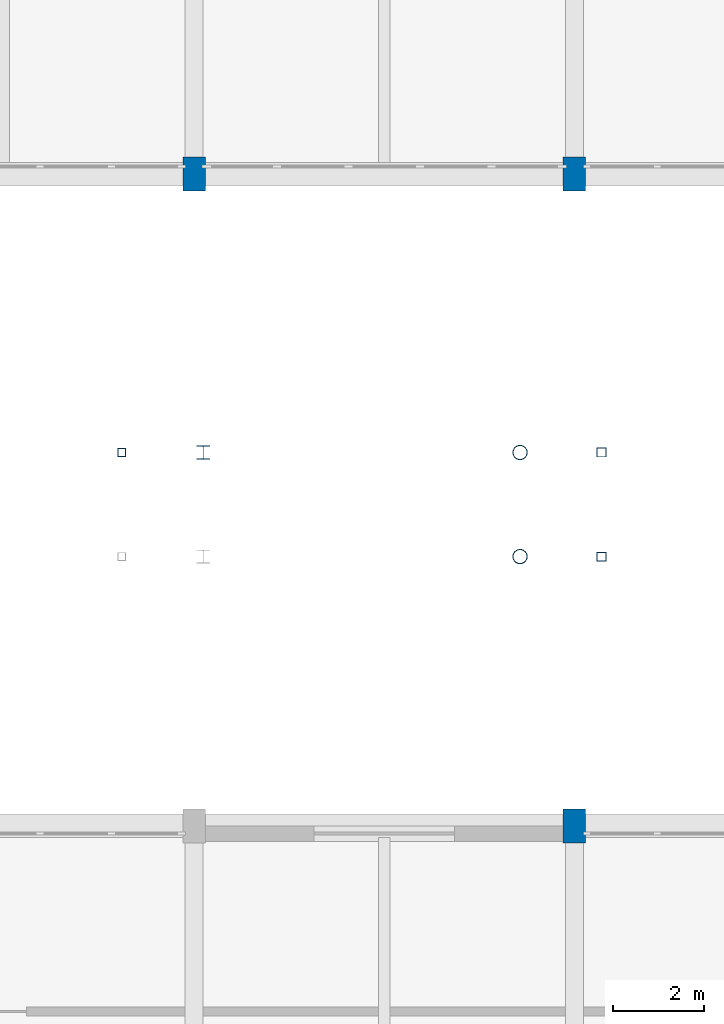
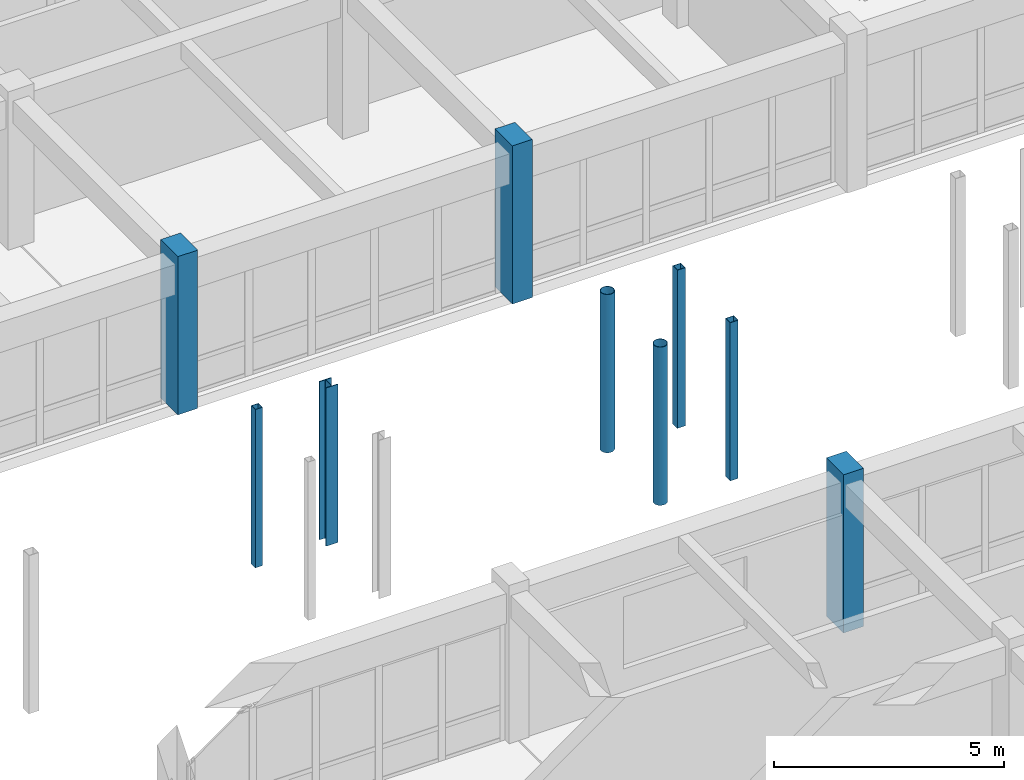
# One storey, part 13 of 147: 9 columns.
"""IFC4 building model written with IfcOpenShell, lengths in metres."""

from ifc_helpers import new_model, si_unit, direction, frame, origin, origin_2d, place, context, subcontext, project, spatial, rectangle, hollow_rectangle, hollow_circle, i_section, extrude, material, material_profile, profile_set, type_object, element, save


model = new_model("IFC4")

# Units and contexts
model_context = context("Model", 3, precision=1e-05, world=origin(), true_north=direction((0.0, 1.0)))
body_context = subcontext(model_context, "Body", "Model", "MODEL_VIEW")
ifc_project = project(units=[si_unit("LENGTHUNIT", "METRE"), si_unit("AREAUNIT", "SQUARE_METRE"), si_unit("VOLUMEUNIT", "CUBIC_METRE"), si_unit("PLANEANGLEUNIT", "RADIAN"), si_unit("MASSUNIT", "GRAM", prefix="KILO")], contexts=[model_context])

# Site, building, storey
site_placement = place(None, origin())
site = spatial("IfcSite", under=ifc_project, at=site_placement, CompositionType="ELEMENT")
building_placement = place(site_placement, origin())
building = spatial("IfcBuilding", under=site, at=building_placement, Name="Malvenik Polytechnic", CompositionType="ELEMENT")
storey_placement = place(building_placement, frame((0.0, 0.0, 5.10009765625)))
storey = spatial("IfcBuildingStorey", under=building, at=storey_placement, Name="L01", CompositionType="ELEMENT", Elevation=5.10009765625)

# Columns
ifc_material_1 = material(Name="Concrete C35/45", Category="concrete")
ifc_material_profile_1 = material_profile(ifc_material_1, rectangle(XDim=0.5, YDim=0.75, at=origin_2d()), Name="RC COL 750x500")
ifc_profile_set_1 = profile_set([ifc_material_profile_1], Name="Concrete C35/45")
column_type_1 = type_object("IfcColumnType", Name="STR-COL-C-14", PredefinedType="COLUMN", material=ifc_profile_set_1)
for number, where, z_axis, x_axis, name in (
    (1, (50.39990234375, 79.199951171875, 0.0), (0.0, 0.0, 1.0), (1.0, 0.0, 0.0), "Column C-14 L01 (50.4,79.2)"),
    (2, (58.800048828125, 64.800048828125, 0.0), (0.0, 0.0, 1.0), (1.0, 0.0, 0.0), "Column C-14 L01 (58.8,64.8)"),
    (3, (58.800048828125, 79.199951171875, 0.0), (0.0, 0.0, 1.0), (1.0, 0.0, 0.0), "Column C-14 L01 (58.8,79.2)"),
):
    element("IfcColumn", number, at=place(storey_placement, frame(where, z_axis=z_axis, x_axis=x_axis)), inside=storey, type_object=column_type_1, Name=name, PredefinedType="COLUMN", context=body_context, shape_type="SweptSolid", body=[
        extrude(rectangle(XDim=0.5, YDim=0.75, at=origin_2d()), origin(), (0.0, 0.0, 1.0), 4.199951171875),
    ])
ifc_material_2 = material(Name="Steel S355J2H", Category="steel")
ifc_material_profile_2 = material_profile(ifc_material_2, hollow_rectangle(XDim=0.199951171875, YDim=0.199951171875, WallThickness=0.010009765625, at=origin_2d()), Name="SHS 200x200x10.0")
ifc_profile_set_2 = profile_set([ifc_material_profile_2], Name="Steel S355J2H")
column_type_2 = type_object("IfcColumnType", Name="STR-SCOL-SC-02", PredefinedType="COLUMN", material=ifc_profile_set_2)
for number, where, z_axis, x_axis, name in (
    (4, (59.39990234375, 70.75, 0.0), (0.0, 0.0, 1.0), (1.0, 0.0, 0.0), "Bridge-Ramp Support Column SC-02 L01"),
    (5, (59.39990234375, 73.050048828125, 0.0), (0.0, 0.0, 1.0), (1.0, 0.0, 0.0), "Bridge-Ramp Support Column SC-02 L01"),
):
    element("IfcColumn", number, at=place(storey_placement, frame(where, z_axis=z_axis, x_axis=x_axis)), inside=storey, type_object=column_type_2, Name=name, PredefinedType="COLUMN", context=body_context, shape_type="SweptSolid", body=[
        extrude(hollow_rectangle(XDim=0.199951171875, YDim=0.199951171875, WallThickness=0.010009765625, at=origin_2d()), origin(), (0.0, 0.0, 1.0), 4.199951171875),
    ])
ifc_material_profile_3 = material_profile(ifc_material_2, hollow_circle(Radius=0.161865234375, WallThickness=0.012451171875, at=origin_2d()), Name="CHS 323.9x12.5")
ifc_profile_set_3 = profile_set([ifc_material_profile_3], Name="Steel S355J2H")
column_type_3 = type_object("IfcColumnType", Name="STR-SCOL-SC-04", PredefinedType="COLUMN", material=ifc_profile_set_3)
for number, where, z_axis, x_axis, name in (
    (6, (57.60009765625, 70.75, 0.0), (0.0, 0.0, 1.0), (1.0, 0.0, 0.0), "Bridge-Ramp Support Column SC-04 L01"),
    (7, (57.60009765625, 73.050048828125, 0.0), (0.0, 0.0, 1.0), (1.0, 0.0, 0.0), "Bridge-Ramp Support Column SC-04 L01"),
):
    element("IfcColumn", number, at=place(storey_placement, frame(where, z_axis=z_axis, x_axis=x_axis)), inside=storey, type_object=column_type_3, Name=name, PredefinedType="COLUMN", context=body_context, shape_type="SweptSolid", body=[
        extrude(hollow_circle(Radius=0.161865234375, WallThickness=0.012451171875, at=origin_2d()), origin(), (0.0, 0.0, 1.0), 4.199951171875),
    ])
ifc_material_3 = material(Name="Steel S355", Category="steel")
ifc_material_profile_4 = material_profile(ifc_material_3, i_section(OverallWidth=0.300048828125, OverallDepth=0.300048828125, WebThickness=0.010986328125, FlangeThickness=0.01904296875, FilletRadius=0.027099609375, at=origin_2d()), Name="HEB 300")
ifc_profile_set_4 = profile_set([ifc_material_profile_4], Name="Steel S355")
column_type_4 = type_object("IfcColumnType", Name="STR-SCOL-SC-05", PredefinedType="COLUMN", material=ifc_profile_set_4)
column_1_placement = place(storey_placement, frame((50.60009765625, 73.050048828125, 0.0), z_axis=(0.0, 0.0, 1.0), x_axis=(1.0, 0.0, 0.0)))
element("IfcColumn", 8, at=column_1_placement, inside=storey, type_object=column_type_4, Name="Bridge-Ramp Support Column SC-05 L01", PredefinedType="COLUMN", context=body_context, shape_type="SweptSolid", body=[
    extrude(i_section(OverallWidth=0.300048828125, OverallDepth=0.300048828125, WebThickness=0.010986328125, FlangeThickness=0.01904296875, FilletRadius=0.027099609375, at=origin_2d()), origin(), (0.0, 0.0, 1.0), 4.199951171875),
])
ifc_material_profile_5 = material_profile(ifc_material_2, hollow_rectangle(XDim=0.179931640625, YDim=0.179931640625, WallThickness=0.008056640625, at=origin_2d()), Name="SHS 180x180x8.0")
ifc_profile_set_5 = profile_set([ifc_material_profile_5], Name="Steel S355J2H")
column_type_5 = type_object("IfcColumnType", Name="STR-SCOL-SC-06", PredefinedType="COLUMN", material=ifc_profile_set_5)
column_2_placement = place(storey_placement, frame((48.800048828125, 73.050048828125, 0.0), z_axis=(0.0, 0.0, 1.0), x_axis=(1.0, 0.0, 0.0)))
element("IfcColumn", 9, at=column_2_placement, inside=storey, type_object=column_type_5, Name="Bridge-Ramp Support Column SC-06 L01", PredefinedType="COLUMN", context=body_context, shape_type="SweptSolid", body=[
    extrude(hollow_rectangle(XDim=0.179931640625, YDim=0.179931640625, WallThickness=0.008056640625, at=origin_2d()), origin(), (0.0, 0.0, 1.0), 4.199951171875),
])

save(model, "model.ifc")
